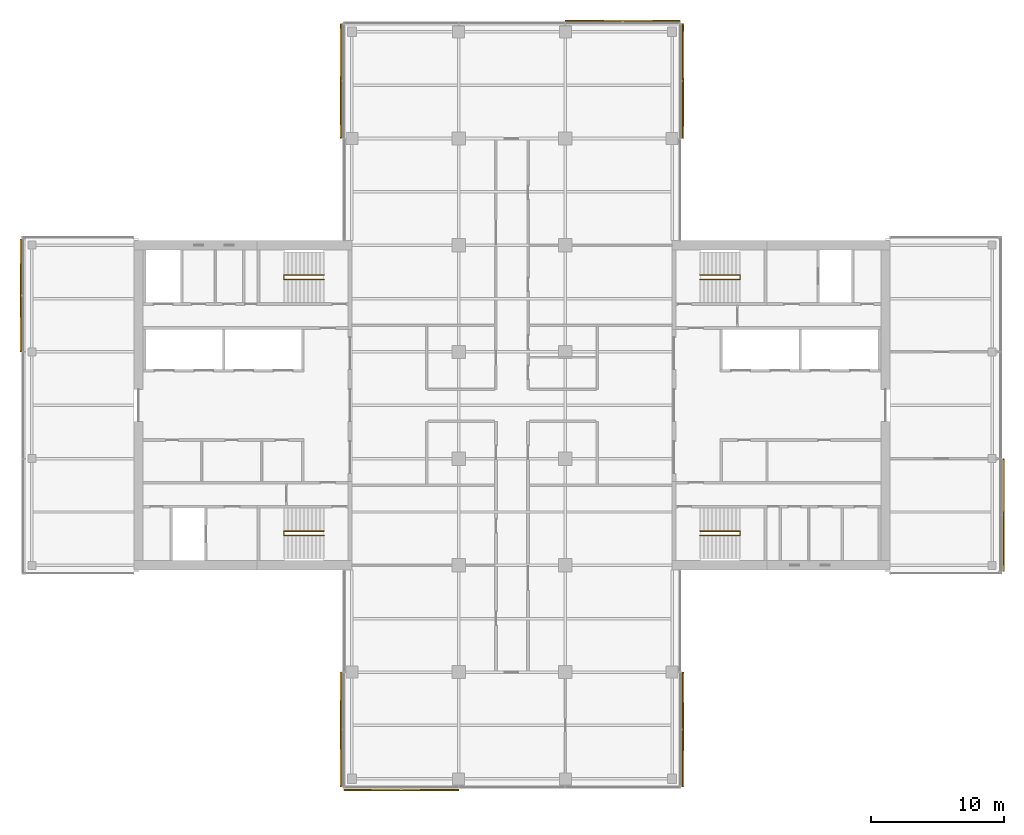
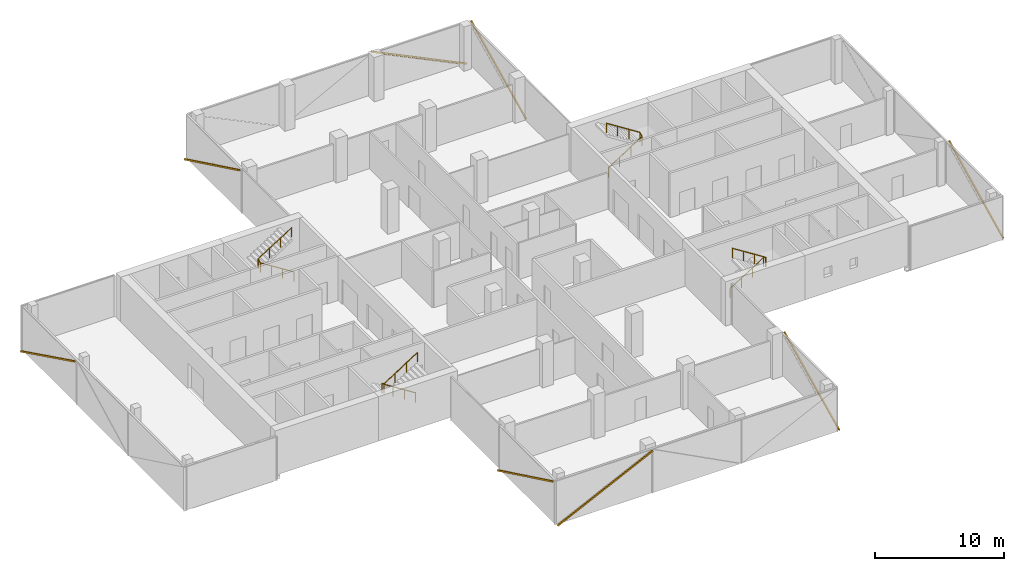
# One storey, part 22 of 22: 8 shading devices, 4 railings, 8 elements without a shape of their own.
"""IFC4 building model written with IfcOpenShell, lengths in metres."""

from ifc_helpers import new_model, si_unit, direction, frame, origin, origin_2d, place, context, subcontext, project, spatial, rectangle, circle, extrude, material, material_profile, profile_set, type_object, element, aggregate, save


model = new_model("IFC4")

# Units and contexts
model_context = context("Model", 3, precision=1e-05, world=origin(), true_north=direction((0.0, 1.0)))
body_context = subcontext(model_context, "Body", "Model", "MODEL_VIEW")
ifc_project = project(units=[si_unit("LENGTHUNIT", "METRE"), si_unit("AREAUNIT", "SQUARE_METRE"), si_unit("VOLUMEUNIT", "CUBIC_METRE"), si_unit("PLANEANGLEUNIT", "RADIAN"), si_unit("MASSUNIT", "GRAM", prefix="KILO")], contexts=[model_context])

# Site, building, storey
site_placement = place(None, origin())
site = spatial("IfcSite", under=ifc_project, at=site_placement, CompositionType="ELEMENT")
building_placement = place(site_placement, origin())
building = spatial("IfcBuilding", under=site, at=building_placement, Name="Crosswind Convention Tower", CompositionType="ELEMENT")
storey_placement = place(building_placement, frame((0.0, 0.0, 142.10009765625)))
storey = spatial("IfcBuildingStorey", under=building, at=storey_placement, Name="L29", CompositionType="ELEMENT", Elevation=142.10009765625)

# Railings
ifc_material_1 = material(Name="Stainless steel", Category="steel")
railing_type = type_object("IfcRailingType", Name="Stair handrail 900", PredefinedType="HANDRAIL", material=ifc_material_1)
railing_1_placement = place(storey_placement, frame((139.10009765625, 109.43994140625, 0.19091796875)))
element("IfcRailing", 1, at=railing_1_placement, inside=storey, type_object=railing_type, Name="Stair ST1 handrail L29", PredefinedType="HANDRAIL", context=body_context, shape_type="SweptSolid", body=[
    extrude(circle(Radius=0.02392578125, at=origin_2d()), frame((0.0, 0.0, 0.8759765625), z_axis=(0.843681277094, 0.0, 0.536844393359), x_axis=(0.0, 1.0, 0.0)), (0.0, 0.0, 1.0), 3.555908203125),
    extrude(circle(Radius=0.02392578125, at=origin_2d()), frame((3.0, 0.0, 2.78466796875), z_axis=(0.0, 0.858819504967, 0.512278301208), x_axis=(-1.0, 0.0, 0.0)), (0.0, 0.0, 1.0), 0.372802734375),
    extrude(circle(Radius=0.02392578125, at=origin_2d()), frame((3.0, 0.320068359375, 2.9755859375), z_axis=(-0.843650179428, 0.0, 0.536893261973), x_axis=(0.0, -1.0, 0.0)), (0.0, 0.0, 1.0), 3.555908203125),
    extrude(circle(Radius=0.02099609375, at=origin_2d()), origin(), (0.0, 0.0, 1.0), 0.851806640625),
    extrude(circle(Radius=0.02099609375, at=origin_2d()), frame((1.0, 0.0, 0.63623046875)), (0.0, 0.0, 1.0), 0.851806640625),
    extrude(circle(Radius=0.02099609375, at=origin_2d()), frame((2.0, 0.0, 1.272705078125)), (0.0, 0.0, 1.0), 0.851806640625),
    extrude(circle(Radius=0.02099609375, at=origin_2d()), frame((3.0, 0.0, 1.908935546875)), (0.0, 0.0, 1.0), 0.851806640625),
    extrude(circle(Radius=0.02099609375, at=origin_2d()), frame((3.0, 0.320068359375, 2.099853515625)), (0.0, 0.0, 1.0), 0.851806640625),
    extrude(circle(Radius=0.02099609375, at=origin_2d()), frame((2.0, 0.320068359375, 2.736328125)), (0.0, 0.0, 1.0), 0.851806640625),
    extrude(circle(Radius=0.02099609375, at=origin_2d()), frame((1.0, 0.320068359375, 3.37255859375)), (0.0, 0.0, 1.0), 0.851806640625),
    extrude(circle(Radius=0.02099609375, at=origin_2d()), frame((0.0, 0.320068359375, 4.009033203125)), (0.0, 0.0, 1.0), 0.851806640625),
])
railing_2_placement = place(storey_placement, frame((139.10009765625, 90.56005859375, 0.19091796875)))
element("IfcRailing", 2, at=railing_2_placement, inside=storey, type_object=railing_type, Name="Stair ST2 handrail L29", PredefinedType="HANDRAIL", context=body_context, shape_type="SweptSolid", body=[
    extrude(circle(Radius=0.02392578125, at=origin_2d()), frame((0.0, 0.0, 0.8759765625), z_axis=(0.843681277094, 0.0, 0.536844393359), x_axis=(0.0, 1.0, 0.0)), (0.0, 0.0, 1.0), 3.555908203125),
    extrude(circle(Radius=0.02392578125, at=origin_2d()), frame((3.0, 0.0, 2.78466796875), z_axis=(0.0, -0.858819504967, 0.512278301208), x_axis=(1.0, 0.0, 0.0)), (0.0, 0.0, 1.0), 0.372802734375),
    extrude(circle(Radius=0.02392578125, at=origin_2d()), frame((3.0, -0.320068359375, 2.9755859375), z_axis=(-0.843650179428, 0.0, 0.536893261973), x_axis=(0.0, -1.0, 0.0)), (0.0, 0.0, 1.0), 3.555908203125),
    extrude(circle(Radius=0.02099609375, at=origin_2d()), origin(), (0.0, 0.0, 1.0), 0.851806640625),
    extrude(circle(Radius=0.02099609375, at=origin_2d()), frame((1.0, 0.0, 0.63623046875)), (0.0, 0.0, 1.0), 0.851806640625),
    extrude(circle(Radius=0.02099609375, at=origin_2d()), frame((2.0, 0.0, 1.272705078125)), (0.0, 0.0, 1.0), 0.851806640625),
    extrude(circle(Radius=0.02099609375, at=origin_2d()), frame((3.0, 0.0, 1.908935546875)), (0.0, 0.0, 1.0), 0.851806640625),
    extrude(circle(Radius=0.02099609375, at=origin_2d()), frame((3.0, -0.320068359375, 2.099853515625)), (0.0, 0.0, 1.0), 0.851806640625),
    extrude(circle(Radius=0.02099609375, at=origin_2d()), frame((2.0, -0.320068359375, 2.736328125)), (0.0, 0.0, 1.0), 0.851806640625),
    extrude(circle(Radius=0.02099609375, at=origin_2d()), frame((1.0, -0.320068359375, 3.37255859375)), (0.0, 0.0, 1.0), 0.851806640625),
    extrude(circle(Radius=0.02099609375, at=origin_2d()), frame((0.0, -0.320068359375, 4.009033203125)), (0.0, 0.0, 1.0), 0.851806640625),
])
railing_3_placement = place(storey_placement, frame((110.89990234375, 90.56005859375, 0.19091796875)))
element("IfcRailing", 3, at=railing_3_placement, inside=storey, type_object=railing_type, Name="Stair ST3 handrail L29", PredefinedType="HANDRAIL", context=body_context, shape_type="SweptSolid", body=[
    extrude(circle(Radius=0.02392578125, at=origin_2d()), frame((0.0, 0.0, 0.8759765625), z_axis=(-0.843681277094, 0.0, 0.536844393359), x_axis=(0.0, -1.0, 0.0)), (0.0, 0.0, 1.0), 3.555908203125),
    extrude(circle(Radius=0.02392578125, at=origin_2d()), frame((-3.0, 0.0, 2.78466796875), z_axis=(0.0, -0.858819504967, 0.512278301208), x_axis=(1.0, 0.0, 0.0)), (0.0, 0.0, 1.0), 0.372802734375),
    extrude(circle(Radius=0.02392578125, at=origin_2d()), frame((-3.0, -0.320068359375, 2.9755859375), z_axis=(0.843650179428, 0.0, 0.536893261973), x_axis=(0.0, 1.0, 0.0)), (0.0, 0.0, 1.0), 3.555908203125),
    extrude(circle(Radius=0.02099609375, at=origin_2d()), origin(), (0.0, 0.0, 1.0), 0.851806640625),
    extrude(circle(Radius=0.02099609375, at=origin_2d()), frame((-1.0, 0.0, 0.63623046875)), (0.0, 0.0, 1.0), 0.851806640625),
    extrude(circle(Radius=0.02099609375, at=origin_2d()), frame((-2.0, 0.0, 1.272705078125)), (0.0, 0.0, 1.0), 0.851806640625),
    extrude(circle(Radius=0.02099609375, at=origin_2d()), frame((-3.0, 0.0, 1.908935546875)), (0.0, 0.0, 1.0), 0.851806640625),
    extrude(circle(Radius=0.02099609375, at=origin_2d()), frame((-3.0, -0.320068359375, 2.099853515625)), (0.0, 0.0, 1.0), 0.851806640625),
    extrude(circle(Radius=0.02099609375, at=origin_2d()), frame((-2.0, -0.320068359375, 2.736328125)), (0.0, 0.0, 1.0), 0.851806640625),
    extrude(circle(Radius=0.02099609375, at=origin_2d()), frame((-1.0, -0.320068359375, 3.37255859375)), (0.0, 0.0, 1.0), 0.851806640625),
    extrude(circle(Radius=0.02099609375, at=origin_2d()), frame((0.0, -0.320068359375, 4.009033203125)), (0.0, 0.0, 1.0), 0.851806640625),
])
railing_4_placement = place(storey_placement, frame((110.89990234375, 109.43994140625, 0.19091796875)))
element("IfcRailing", 4, at=railing_4_placement, inside=storey, type_object=railing_type, Name="Stair ST4 handrail L29", PredefinedType="HANDRAIL", context=body_context, shape_type="SweptSolid", body=[
    extrude(circle(Radius=0.02392578125, at=origin_2d()), frame((0.0, 0.0, 0.8759765625), z_axis=(-0.843681277094, 0.0, 0.536844393359), x_axis=(0.0, -1.0, 0.0)), (0.0, 0.0, 1.0), 3.555908203125),
    extrude(circle(Radius=0.02392578125, at=origin_2d()), frame((-3.0, 0.0, 2.78466796875), z_axis=(0.0, 0.858819504967, 0.512278301208), x_axis=(-1.0, 0.0, 0.0)), (0.0, 0.0, 1.0), 0.372802734375),
    extrude(circle(Radius=0.02392578125, at=origin_2d()), frame((-3.0, 0.320068359375, 2.9755859375), z_axis=(0.843650179428, 0.0, 0.536893261973), x_axis=(0.0, 1.0, 0.0)), (0.0, 0.0, 1.0), 3.555908203125),
    extrude(circle(Radius=0.02099609375, at=origin_2d()), origin(), (0.0, 0.0, 1.0), 0.851806640625),
    extrude(circle(Radius=0.02099609375, at=origin_2d()), frame((-1.0, 0.0, 0.63623046875)), (0.0, 0.0, 1.0), 0.851806640625),
    extrude(circle(Radius=0.02099609375, at=origin_2d()), frame((-2.0, 0.0, 1.272705078125)), (0.0, 0.0, 1.0), 0.851806640625),
    extrude(circle(Radius=0.02099609375, at=origin_2d()), frame((-3.0, 0.0, 1.908935546875)), (0.0, 0.0, 1.0), 0.851806640625),
    extrude(circle(Radius=0.02099609375, at=origin_2d()), frame((-3.0, 0.320068359375, 2.099853515625)), (0.0, 0.0, 1.0), 0.851806640625),
    extrude(circle(Radius=0.02099609375, at=origin_2d()), frame((-2.0, 0.320068359375, 2.736328125)), (0.0, 0.0, 1.0), 0.851806640625),
    extrude(circle(Radius=0.02099609375, at=origin_2d()), frame((-1.0, 0.320068359375, 3.37255859375)), (0.0, 0.0, 1.0), 0.851806640625),
    extrude(circle(Radius=0.02099609375, at=origin_2d()), frame((0.0, 0.320068359375, 4.009033203125)), (0.0, 0.0, 1.0), 0.851806640625),
])

# Curtain wall, shading device
ifc_material_2 = material(Name="Aluminium unitised curtain wall", Category="aluminium")
curtain_wall_type = type_object("IfcCurtainWallType", Name="OFFICE UNITISED WALL 220", PredefinedType="USERDEFINED", material=ifc_material_2)
curtain_wall_1_placement = place(storey_placement, origin())
curtain_wall_1 = element("IfcCurtainWall", 5, at=curtain_wall_1_placement, inside=storey, type_object=curtain_wall_type, Name="CW3 L29 E-TIP 1", ObjectType="UNITISED", PredefinedType="USERDEFINED")
ifc_material_3 = material(Name="Extruded terracotta", Category="masonry")
ifc_material_profile = material_profile(ifc_material_3, rectangle(XDim=0.110107421875, YDim=0.1298828125, at=origin_2d()), Name="TC 110X130")
ifc_profile_set = profile_set([ifc_material_profile], Name="Extruded terracotta")
shading_device_type = type_object("IfcShadingDeviceType", Name="TERRACOTTA BAGUETTE 130X110", PredefinedType="USERDEFINED", material=ifc_profile_set)
shading_device_1_placement = place(storey_placement, frame((161.8310546875, 87.570068359375, -0.300048828125), z_axis=(0.0, 0.897299814718, 0.44142161536), x_axis=(-1.0, 0.0, 0.0)))
shading_device_1 = element("IfcShadingDevice", 6, at=shading_device_1_placement, type_object=shading_device_type, Name="CW3 terracotta baguette 1", ObjectType="BAGUETTE", PredefinedType="USERDEFINED", context=body_context, shape_type="SweptSolid", body=[
    extrude(rectangle(XDim=0.110107421875, YDim=0.1298828125, at=origin_2d()), origin(), (0.0, 0.0, 1.0), 9.35595703125),
])
aggregate(curtain_wall_1, [shading_device_1])

curtain_wall_2_placement = place(storey_placement, origin())
curtain_wall_2 = element("IfcCurtainWall", 7, at=curtain_wall_2_placement, inside=storey, type_object=curtain_wall_type, Name="CW3 L29 N-E 1", ObjectType="UNITISED", PredefinedType="USERDEFINED")
shading_device_2_placement = place(storey_placement, frame((137.8310546875, 120.034912109375, -0.300048828125), z_axis=(0.0, 0.900258180835, 0.435356414723), x_axis=(-1.0, 0.0, 0.0)))
shading_device_2 = element("IfcShadingDevice", 8, at=shading_device_2_placement, type_object=shading_device_type, Name="CW3 terracotta baguette 1", ObjectType="BAGUETTE", PredefinedType="USERDEFINED", context=body_context, shape_type="SweptSolid", body=[
    extrude(rectangle(XDim=0.110107421875, YDim=0.1298828125, at=origin_2d()), origin(), (0.0, 0.0, 1.0), 9.486328125),
])
aggregate(curtain_wall_2, [shading_device_2])

curtain_wall_3_placement = place(storey_placement, origin())
curtain_wall_3 = element("IfcCurtainWall", 9, at=curtain_wall_3_placement, inside=storey, type_object=curtain_wall_type, Name="CW3 L29 N-TIP 1", ObjectType="UNITISED", PredefinedType="USERDEFINED")
shading_device_3_placement = place(storey_placement, frame((137.574951171875, 128.8310546875, -0.300048828125), z_axis=(-0.900258180835, 0.0, 0.435356414723), x_axis=(0.0, -1.0, 0.0)))
shading_device_3 = element("IfcShadingDevice", 10, at=shading_device_3_placement, type_object=shading_device_type, Name="CW3 terracotta baguette 1", ObjectType="BAGUETTE", PredefinedType="USERDEFINED", context=body_context, shape_type="SweptSolid", body=[
    extrude(rectangle(XDim=0.110107421875, YDim=0.1298828125, at=origin_2d()), origin(), (0.0, 0.0, 1.0), 9.486328125),
])
aggregate(curtain_wall_3, [shading_device_3])

curtain_wall_4_placement = place(storey_placement, origin())
curtain_wall_4 = element("IfcCurtainWall", 11, at=curtain_wall_4_placement, inside=storey, type_object=curtain_wall_type, Name="CW3 L29 N-W 1", ObjectType="UNITISED", PredefinedType="USERDEFINED")
shading_device_4_placement = place(storey_placement, frame((112.1689453125, 128.574951171875, -0.300048828125), z_axis=(0.0, -0.900258180835, 0.435356414723), x_axis=(1.0, 0.0, 0.0)))
shading_device_4 = element("IfcShadingDevice", 12, at=shading_device_4_placement, type_object=shading_device_type, Name="CW3 terracotta baguette 1", ObjectType="BAGUETTE", PredefinedType="USERDEFINED", context=body_context, shape_type="SweptSolid", body=[
    extrude(rectangle(XDim=0.110107421875, YDim=0.1298828125, at=origin_2d()), origin(), (0.0, 0.0, 1.0), 9.486328125),
])
aggregate(curtain_wall_4, [shading_device_4])

curtain_wall_5_placement = place(storey_placement, origin())
curtain_wall_5 = element("IfcCurtainWall", 13, at=curtain_wall_5_placement, inside=storey, type_object=curtain_wall_type, Name="CW3 L29 W-TIP 1", ObjectType="UNITISED", PredefinedType="USERDEFINED")
shading_device_5_placement = place(storey_placement, frame((88.1689453125, 112.429931640625, -0.300048828125), z_axis=(0.0, -0.897299814718, 0.44142161536), x_axis=(1.0, 0.0, 0.0)))
shading_device_5 = element("IfcShadingDevice", 14, at=shading_device_5_placement, type_object=shading_device_type, Name="CW3 terracotta baguette 1", ObjectType="BAGUETTE", PredefinedType="USERDEFINED", context=body_context, shape_type="SweptSolid", body=[
    extrude(rectangle(XDim=0.110107421875, YDim=0.1298828125, at=origin_2d()), origin(), (0.0, 0.0, 1.0), 9.35595703125),
])
aggregate(curtain_wall_5, [shading_device_5])

curtain_wall_6_placement = place(storey_placement, origin())
curtain_wall_6 = element("IfcCurtainWall", 15, at=curtain_wall_6_placement, inside=storey, type_object=curtain_wall_type, Name="CW3 L29 S-W 1", ObjectType="UNITISED", PredefinedType="USERDEFINED")
shading_device_6_placement = place(storey_placement, frame((112.1689453125, 79.965087890625, -0.300048828125), z_axis=(0.0, -0.900258180835, 0.435356414723), x_axis=(1.0, 0.0, 0.0)))
shading_device_6 = element("IfcShadingDevice", 16, at=shading_device_6_placement, type_object=shading_device_type, Name="CW3 terracotta baguette 1", ObjectType="BAGUETTE", PredefinedType="USERDEFINED", context=body_context, shape_type="SweptSolid", body=[
    extrude(rectangle(XDim=0.110107421875, YDim=0.1298828125, at=origin_2d()), origin(), (0.0, 0.0, 1.0), 9.486328125),
])
aggregate(curtain_wall_6, [shading_device_6])

curtain_wall_7_placement = place(storey_placement, origin())
curtain_wall_7 = element("IfcCurtainWall", 17, at=curtain_wall_7_placement, inside=storey, type_object=curtain_wall_type, Name="CW3 L29 S-TIP 1", ObjectType="UNITISED", PredefinedType="USERDEFINED")
shading_device_7_placement = place(storey_placement, frame((112.425048828125, 71.1689453125, -0.300048828125), z_axis=(0.900258180835, 0.0, 0.435356414723), x_axis=(0.0, 1.0, 0.0)))
shading_device_7 = element("IfcShadingDevice", 18, at=shading_device_7_placement, type_object=shading_device_type, Name="CW3 terracotta baguette 1", ObjectType="BAGUETTE", PredefinedType="USERDEFINED", context=body_context, shape_type="SweptSolid", body=[
    extrude(rectangle(XDim=0.110107421875, YDim=0.1298828125, at=origin_2d()), origin(), (0.0, 0.0, 1.0), 9.486328125),
])
aggregate(curtain_wall_7, [shading_device_7])

curtain_wall_8_placement = place(storey_placement, origin())
curtain_wall_8 = element("IfcCurtainWall", 19, at=curtain_wall_8_placement, inside=storey, type_object=curtain_wall_type, Name="CW3 L29 S-E 1", ObjectType="UNITISED", PredefinedType="USERDEFINED")
shading_device_8_placement = place(storey_placement, frame((137.8310546875, 71.425048828125, -0.300048828125), z_axis=(0.0, 0.900258180835, 0.435356414723), x_axis=(-1.0, 0.0, 0.0)))
shading_device_8 = element("IfcShadingDevice", 20, at=shading_device_8_placement, type_object=shading_device_type, Name="CW3 terracotta baguette 1", ObjectType="BAGUETTE", PredefinedType="USERDEFINED", context=body_context, shape_type="SweptSolid", body=[
    extrude(rectangle(XDim=0.110107421875, YDim=0.1298828125, at=origin_2d()), origin(), (0.0, 0.0, 1.0), 9.486328125),
])
aggregate(curtain_wall_8, [shading_device_8])

save(model, "model.ifc")
